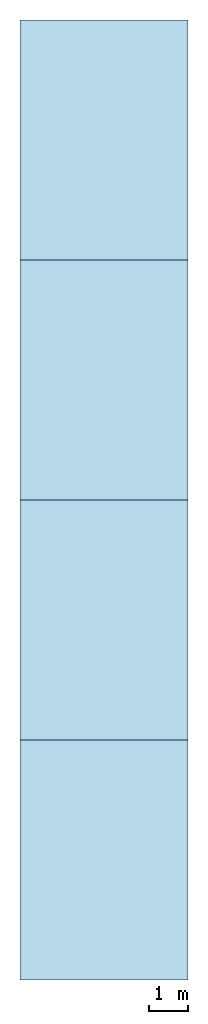
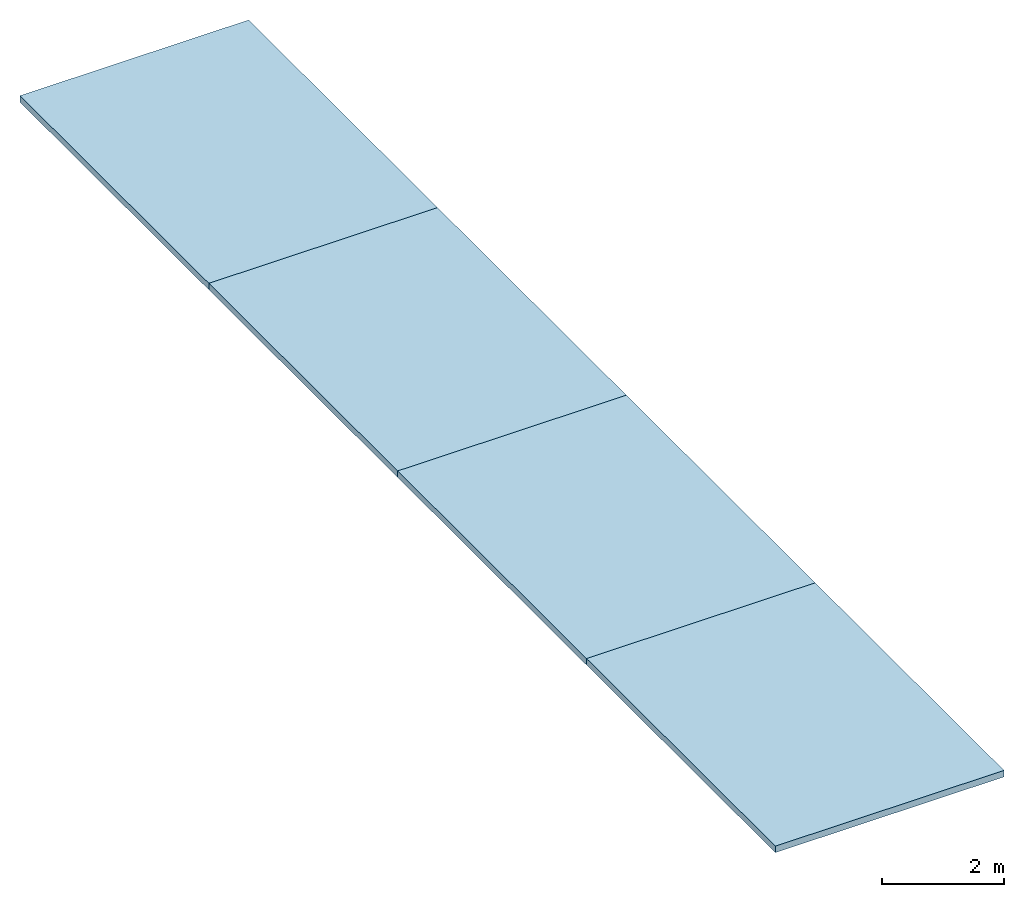
# One storey: 4 slabs.
"""IFC4 building model written with IfcOpenShell, lengths in metres."""

from ifc_helpers import new_model, si_unit, direction, frame, origin, place, context, subcontext, project, spatial, polyline, outline, extrude, material, layer, layer_set, type_object, element, save


model = new_model("IFC4")

# Units and contexts
model_context = context("Model", 3, precision=1e-05, world=origin(), true_north=direction((0.0, 1.0)))
body_context = subcontext(model_context, "Body", "Model", "MODEL_VIEW")
ifc_project = project(units=[si_unit("LENGTHUNIT", "METRE"), si_unit("AREAUNIT", "SQUARE_METRE"), si_unit("VOLUMEUNIT", "CUBIC_METRE"), si_unit("PLANEANGLEUNIT", "RADIAN"), si_unit("MASSUNIT", "GRAM", prefix="KILO")], contexts=[model_context])

# Site, building, storey
site_placement = place(None, origin())
site = spatial("IfcSite", under=ifc_project, at=site_placement, CompositionType="ELEMENT")
building_placement = place(site_placement, origin())
building = spatial("IfcBuilding", under=site, at=building_placement, Name="Lunette Opera House", CompositionType="ELEMENT")
storey_placement = place(building_placement, frame((0.0, 0.0, 53.700927734375)))
storey = spatial("IfcBuildingStorey", under=building, at=storey_placement, Name="Roof 2", CompositionType="ELEMENT", Elevation=53.700927734375)

# Slabs
ifc_material = material(Name="Concrete C40/50", Category="concrete")
ifc_layer = layer(ifc_material, 0.1298828125)
ifc_layer_set = layer_set([ifc_layer], Name="Concrete C40/50")
slab_type = type_object("IfcSlabType", Name="SHELL STRIP 130", PredefinedType="ROOF", material=ifc_layer_set)
for number, where, z_axis, x_axis, name in (
    (1, (93.8330078125, 95.60009765625, 0.130126953125), (0.0, 0.0, 1.0), (1.0, 0.0, 0.0), "slab-ST-L06-TS1-4"),
    (2, (93.8330078125, 101.800048828125, 0.130126953125), (0.0, 0.0, 1.0), (1.0, 0.0, 0.0), "slab-ST-L06-TS2-4"),
    (3, (93.8330078125, 108.0, 0.130126953125), (0.0, 0.0, 1.0), (1.0, 0.0, 0.0), "slab-ST-L06-TS3-4"),
    (4, (93.8330078125, 114.199951171875, 0.130126953125), (0.0, 0.0, 1.0), (1.0, 0.0, 0.0), "slab-ST-L06-TS4-4"),
):
    element("IfcSlab", number, at=place(storey_placement, frame(where, z_axis=z_axis, x_axis=x_axis)), inside=storey, type_object=slab_type, Name=name, PredefinedType="ROOF", context=body_context, shape_type="SweptSolid", body=[
        extrude(outline(polyline([(0.0, 0.0), (4.333984375, 0.0), (4.333984375, 6.199951171875), (0.0, 6.199951171875), (0.0, 0.0)])), origin(), (0.0, 0.0, -1.0), 0.1298828125),
    ])

save(model, "model.ifc")
